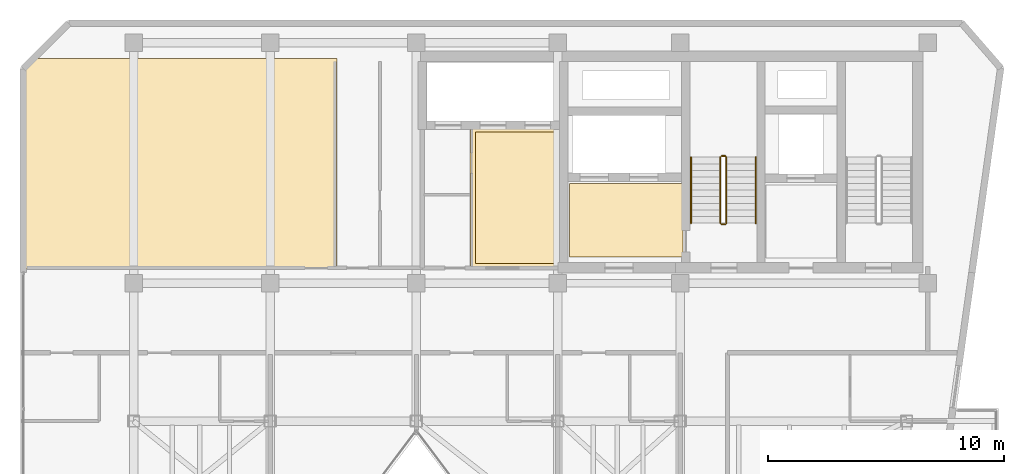
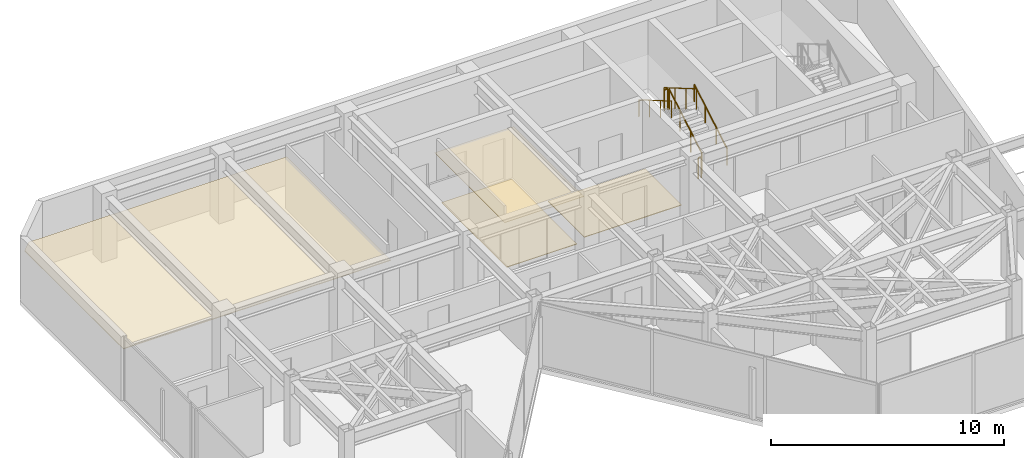
# One storey, part 18 of 19: 6 railings, 4 coverings.
"""IFC4 building model written with IfcOpenShell, lengths in metres."""

from ifc_helpers import new_model, si_unit, direction, frame, origin, origin_2d, place, context, subcontext, project, spatial, polyline, circle, outline, extrude, material, layer, layer_set, type_object, element, save


model = new_model("IFC4")

# Units and contexts
model_context = context("Model", 3, precision=1e-05, world=origin(), true_north=direction((0.0, 1.0)))
body_context = subcontext(model_context, "Body", "Model", "MODEL_VIEW")
ifc_project = project(units=[si_unit("LENGTHUNIT", "METRE"), si_unit("AREAUNIT", "SQUARE_METRE"), si_unit("VOLUMEUNIT", "CUBIC_METRE"), si_unit("PLANEANGLEUNIT", "RADIAN"), si_unit("MASSUNIT", "GRAM", prefix="KILO")], contexts=[model_context])

# Site, building, storey
site_placement = place(None, origin())
site = spatial("IfcSite", under=ifc_project, at=site_placement, CompositionType="ELEMENT")
building_placement = place(site_placement, origin())
building = spatial("IfcBuilding", under=site, at=building_placement, Name="Kravanh Interchange Tower", CompositionType="ELEMENT")
storey_placement = place(building_placement, frame((0.0, 0.0, 270.60009765625)))
storey = spatial("IfcBuildingStorey", under=building, at=storey_placement, Name="L66", CompositionType="ELEMENT", Elevation=270.60009765625)

# Coverings
ifc_material_1 = material(Name="Cementitious Terrazzo Tile")
ifc_layer_1 = layer(ifc_material_1, 0.030029296875)
ifc_layer_set_1 = layer_set([ifc_layer_1], Name="Honed Terrazzo Lobby Flooring 30mm")
covering_type_1 = type_object("IfcCoveringType", Name="Honed Terrazzo Lobby Flooring 30mm", PredefinedType="FLOORING", material=ifc_layer_set_1)
covering_1_placement = place(storey_placement, origin())
element("IfcCovering", 1, at=covering_1_placement, inside=storey, type_object=covering_type_1, Name="L66 Firefighting Lobby Floor Finish", PredefinedType="FLOORING", context=body_context, shape_type="SweptSolid", body=[
    extrude(outline(polyline([(56.1201171875, 38.4599609375), (51.300048828125, 38.4599609375), (51.300048828125, 41.580078125), (56.1201171875, 41.580078125), (56.1201171875, 38.4599609375)])), origin(), (0.0, 0.0, 1.0), 0.02978515625),
])
covering_2_placement = place(storey_placement, origin())
element("IfcCovering", 2, at=covering_2_placement, inside=storey, type_object=covering_type_1, Name="L66 High-Rise Lift Lobby Floor Finish", PredefinedType="FLOORING", context=body_context, shape_type="SweptSolid", body=[
    extrude(outline(polyline([(47.300048828125, 43.77001953125), (50.77001953125, 43.77001953125), (50.77001953125, 38.179931640625), (47.300048828125, 38.179931640625), (47.300048828125, 43.77001953125)])), origin(), (0.0, 0.0, 1.0), 0.02978515625),
])
ifc_material_2 = material(Name="Anodised Bronze Aluminium Acoustic Baffle", Category="aluminium")
ifc_layer_2 = layer(ifc_material_2, 0.034912109375)
ifc_layer_set_2 = layer_set([ifc_layer_2], Name="Linear Bronze Baffle Feature Ceiling 35mm")
covering_type_2 = type_object("IfcCoveringType", Name="Linear Bronze Baffle Feature Ceiling 35mm", PredefinedType="CEILING", material=ifc_layer_set_2)
covering_3_placement = place(storey_placement, frame((0.0, 0.0, 2.5498046875)))
element("IfcCovering", 3, at=covering_3_placement, inside=storey, type_object=covering_type_2, Name="L66 North Library Reading Lounge Suspended Ceiling", PredefinedType="CEILING", context=body_context, shape_type="SweptSolid", body=[
    extrude(outline(polyline([(41.429931640625, 37.9599609375), (28.179931640625, 37.9599609375), (28.179931640625, 46.42529296875), (28.64453125, 46.889892578125), (41.429931640625, 46.889892578125), (41.429931640625, 37.9599609375)])), origin(), (0.0, 0.0, 1.0), 0.03515625),
])
ifc_material_3 = material(Name="Acoustic Mineral Fibre Tile on Aluminium Grid", Category="aluminium")
ifc_layer_3 = layer(ifc_material_3, 0.02490234375)
ifc_layer_set_3 = layer_set([ifc_layer_3], Name="Perforated Acoustic Mineral Ceiling 25mm")
covering_type_3 = type_object("IfcCoveringType", Name="Perforated Acoustic Mineral Ceiling 25mm", PredefinedType="CEILING", material=ifc_layer_set_3)
covering_4_placement = place(storey_placement, frame((0.0, 0.0, 2.5498046875)))
element("IfcCovering", 4, at=covering_4_placement, inside=storey, type_object=covering_type_3, Name="L66 High-Rise Lift Lobby Suspended Ceiling", PredefinedType="CEILING", context=body_context, shape_type="SweptSolid", body=[
    extrude(outline(polyline([(50.989990234375, 37.9599609375), (47.080078125, 37.9599609375), (47.080078125, 43.989990234375), (50.989990234375, 43.989990234375), (50.989990234375, 37.9599609375)])), origin(), (0.0, 0.0, 1.0), 0.025146484375),
])

# Railings
ifc_material_4 = material(Name="Structural Steel S355", Category="steel")
ifc_layer_4 = layer(ifc_material_4, 0.050048828125)
ifc_layer_set_4 = layer_set([ifc_layer_4], Name="Stair Well Guardrail Structural Steel S355 1100mm")
railing_type_1 = type_object("IfcRailingType", Name="Stair Well Guardrail Structural Steel S355 1100mm", PredefinedType="GUARDRAIL", material=ifc_layer_set_4)
railing_1_placement = place(storey_placement, frame((57.949951171875, 39.89990234375, 0.16357421875)))
element("IfcRailing", 5, at=railing_1_placement, inside=storey, type_object=railing_type_1, Name="L66 ST2 stair guard 1", PredefinedType="GUARDRAIL", context=body_context, shape_type="SweptSolid", body=[
    extrude(circle(Radius=0.02392578125, at=origin_2d()), frame((0.0, 0.0, 1.076171875), z_axis=(0.0, 0.863393664356, 0.504530851732), x_axis=(-1.0, 0.0, 0.0)), (0.0, 0.0, 1.0), 3.2431640625),
    extrude(circle(Radius=0.02099609375, at=origin_2d()), origin(), (0.0, 0.0, 1.0), 1.052001953125),
    extrude(circle(Radius=0.02099609375, at=origin_2d()), frame((0.0, 0.933349609375, 0.54541015625)), (0.0, 0.0, 1.0), 1.052001953125),
    extrude(circle(Radius=0.02099609375, at=origin_2d()), frame((0.0, 1.86669921875, 1.0908203125)), (0.0, 0.0, 1.0), 1.052001953125),
    extrude(circle(Radius=0.02099609375, at=origin_2d()), frame((0.0, 2.800048828125, 1.63623046875)), (0.0, 0.0, 1.0), 1.052001953125),
])
railing_2_placement = place(storey_placement, frame((57.89990234375, 42.75, 1.7998046875)))
element("IfcRailing", 6, at=railing_2_placement, inside=storey, type_object=railing_type_1, Name="L66 ST2 stair guard 2", PredefinedType="GUARDRAIL", context=body_context, shape_type="SweptSolid", body=[
    extrude(circle(Radius=0.02392578125, at=origin_2d()), frame((0.0, 0.0, 1.076171875), z_axis=(-1.0, 0.0, 0.0), x_axis=(0.0, -1.0, 0.0)), (0.0, 0.0, 1.0), 0.14990234375),
    extrude(circle(Radius=0.02099609375, at=origin_2d()), origin(), (0.0, 0.0, 1.0), 1.052001953125),
    extrude(circle(Radius=0.02099609375, at=origin_2d()), frame((-0.14990234375, 0.0, 0.0)), (0.0, 0.0, 1.0), 1.052001953125),
])
railing_3_placement = place(storey_placement, frame((57.699951171875, 42.699951171875, 1.963623046875)))
element("IfcRailing", 7, at=railing_3_placement, inside=storey, type_object=railing_type_1, Name="L66 ST2 stair guard 3", PredefinedType="GUARDRAIL", context=body_context, shape_type="SweptSolid", body=[
    extrude(circle(Radius=0.02392578125, at=origin_2d()), frame((0.0, 0.0, 1.076171875), z_axis=(0.0, -0.863393664356, 0.504530851732), x_axis=(1.0, 0.0, 0.0)), (0.0, 0.0, 1.0), 3.2431640625),
    extrude(circle(Radius=0.02099609375, at=origin_2d()), origin(), (0.0, 0.0, 1.0), 1.052001953125),
    extrude(circle(Radius=0.02099609375, at=origin_2d()), frame((0.0, -0.933349609375, 0.54541015625)), (0.0, 0.0, 1.0), 1.052001953125),
    extrude(circle(Radius=0.02099609375, at=origin_2d()), frame((0.0, -1.86669921875, 1.0908203125)), (0.0, 0.0, 1.0), 1.052001953125),
    extrude(circle(Radius=0.02099609375, at=origin_2d()), frame((0.0, -2.800048828125, 1.63623046875)), (0.0, 0.0, 1.0), 1.052001953125),
])
railing_4_placement = place(storey_placement, frame((57.89990234375, 39.85009765625, 0.0)))
element("IfcRailing", 8, at=railing_4_placement, inside=storey, type_object=railing_type_1, Name="L66 ST2 stair guard 4", PredefinedType="GUARDRAIL", context=body_context, shape_type="SweptSolid", body=[
    extrude(circle(Radius=0.02392578125, at=origin_2d()), frame((0.0, 0.0, 1.076171875), z_axis=(-1.0, 0.0, 0.0), x_axis=(0.0, -1.0, 0.0)), (0.0, 0.0, 1.0), 0.14990234375),
    extrude(circle(Radius=0.02099609375, at=origin_2d()), origin(), (0.0, 0.0, 1.0), 1.052001953125),
    extrude(circle(Radius=0.02099609375, at=origin_2d()), frame((-0.14990234375, 0.0, 0.0)), (0.0, 0.0, 1.0), 1.052001953125),
])
ifc_material_5 = material(Name="Stainless Steel 304", Category="steel")
ifc_layer_5 = layer(ifc_material_5, 0.044921875)
ifc_layer_set_5 = layer_set([ifc_layer_5], Name="Tubular Stair Handrail Stainless 304 900mm")
railing_type_2 = type_object("IfcRailingType", Name="Tubular Stair Handrail Stainless 304 900mm", PredefinedType="HANDRAIL", material=ifc_layer_set_5)
railing_5_placement = place(storey_placement, frame((59.199951171875, 39.89990234375, 0.16357421875)))
element("IfcRailing", 9, at=railing_5_placement, inside=storey, type_object=railing_type_2, Name="L66 ST2 stair handrail 1", PredefinedType="HANDRAIL", context=body_context, shape_type="SweptSolid", body=[
    extrude(circle(Radius=0.02392578125, at=origin_2d()), frame((0.0, 0.0, 0.8759765625), z_axis=(0.0, 0.863393664356, 0.504530851732), x_axis=(-1.0, 0.0, 0.0)), (0.0, 0.0, 1.0), 3.2431640625),
    extrude(circle(Radius=0.02099609375, at=origin_2d()), origin(), (0.0, 0.0, 1.0), 0.851806640625),
    extrude(circle(Radius=0.02099609375, at=origin_2d()), frame((0.0, 0.933349609375, 0.54541015625)), (0.0, 0.0, 1.0), 0.851806640625),
    extrude(circle(Radius=0.02099609375, at=origin_2d()), frame((0.0, 1.86669921875, 1.0908203125)), (0.0, 0.0, 1.0), 0.851806640625),
    extrude(circle(Radius=0.02099609375, at=origin_2d()), frame((0.0, 2.800048828125, 1.63623046875)), (0.0, 0.0, 1.0), 0.851806640625),
])
railing_6_placement = place(storey_placement, frame((56.449951171875, 42.699951171875, 1.963623046875)))
element("IfcRailing", 10, at=railing_6_placement, inside=storey, type_object=railing_type_2, Name="L66 ST2 stair handrail 2", PredefinedType="HANDRAIL", context=body_context, shape_type="SweptSolid", body=[
    extrude(circle(Radius=0.02392578125, at=origin_2d()), frame((0.0, 0.0, 0.8759765625), z_axis=(0.0, -0.863393664356, 0.504530851732), x_axis=(1.0, 0.0, 0.0)), (0.0, 0.0, 1.0), 3.2431640625),
    extrude(circle(Radius=0.02099609375, at=origin_2d()), origin(), (0.0, 0.0, 1.0), 0.851806640625),
    extrude(circle(Radius=0.02099609375, at=origin_2d()), frame((0.0, -0.933349609375, 0.54541015625)), (0.0, 0.0, 1.0), 0.851806640625),
    extrude(circle(Radius=0.02099609375, at=origin_2d()), frame((0.0, -1.86669921875, 1.0908203125)), (0.0, 0.0, 1.0), 0.851806640625),
    extrude(circle(Radius=0.02099609375, at=origin_2d()), frame((0.0, -2.800048828125, 1.63623046875)), (0.0, 0.0, 1.0), 0.851806640625),
])

save(model, "model.ifc")
